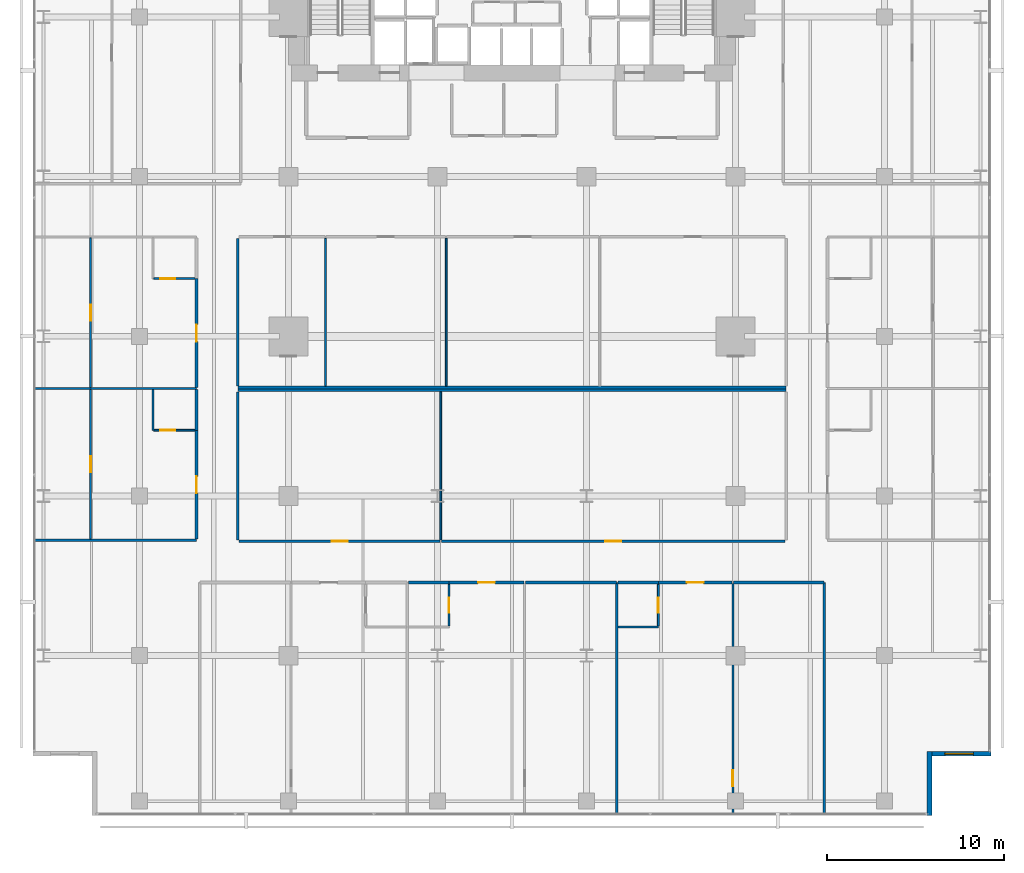
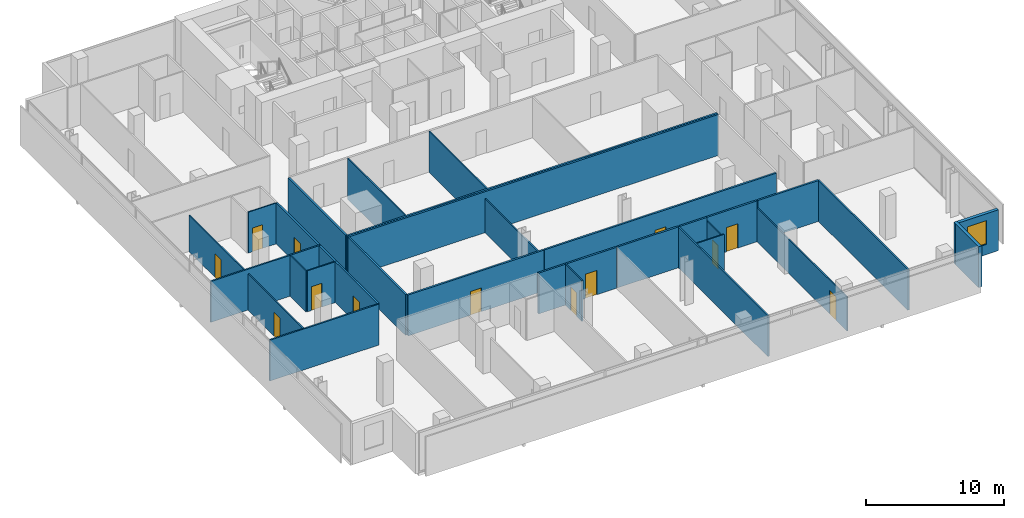
# One storey, part 33 of 40: 33 walls, 13 doors, 1 window, 14 openings.
"""IFC4 building model written with IfcOpenShell, lengths in metres."""

from ifc_helpers import new_model, si_unit, direction, frame, frame_2d, origin, place, context, subcontext, project, spatial, rectangle, extrude, material, layer, layer_set, type_object, element, fill, save


model = new_model("IFC4")

# Units and contexts
model_context = context("Model", 3, precision=1e-05, world=origin(), true_north=direction((0.0, 1.0)))
body_context = subcontext(model_context, "Body", "Model", "MODEL_VIEW")
ifc_project = project(units=[si_unit("LENGTHUNIT", "METRE"), si_unit("AREAUNIT", "SQUARE_METRE"), si_unit("VOLUMEUNIT", "CUBIC_METRE"), si_unit("PLANEANGLEUNIT", "RADIAN"), si_unit("MASSUNIT", "GRAM", prefix="KILO")], contexts=[model_context])

# Site, building, storey
site_placement = place(None, origin())
site = spatial("IfcSite", under=ifc_project, at=site_placement, CompositionType="ELEMENT")
building_placement = place(site_placement, origin())
building = spatial("IfcBuilding", under=site, at=building_placement, Name="Maruvema Waterfront Hotel and Observation Tower", CompositionType="ELEMENT")
storey_placement = place(building_placement, frame((0.0, 0.0, 73.14990234375)))
storey = spatial("IfcBuildingStorey", under=building, at=storey_placement, Name="L17", CompositionType="ELEMENT", Elevation=73.14990234375)

# Walls
ifc_material_1 = material(Name="Twin-stud acoustic gypsum drywall", Category="gypsum")
ifc_layer_1 = layer(ifc_material_1, 0.14990234375, Name="Acoustic Corridor and Suite Demising Wall 150 mm")
ifc_layer_set_1 = layer_set([ifc_layer_1], Name="Twin-stud acoustic gypsum drywall")
wall_type_1 = type_object("IfcWallType", Name="Acoustic Corridor and Suite Demising Wall 150 mm", PredefinedType="PARTITIONING", material=ifc_layer_set_1)
wall_1_placement = place(storey_placement, frame((22.35009765625, 24.110107421875, 0.0), z_axis=(0.0, 0.0, 1.0), x_axis=(1.0, 0.0, 0.0)))
element("IfcWall", 1, at=wall_1_placement, inside=storey, type_object=wall_type_1, Name="L17 L17-INTN Back Wall 022", PredefinedType="PARTITIONING", context=body_context, shape_type="SweptSolid", body=[
    extrude(rectangle(XDim=30.89990234375, YDim=0.14990234375, at=frame_2d((15.449951171875, 0.0))), origin(), (0.0, 0.0, 1.0), 3.610107421875),
])
wall_2_placement = place(storey_placement, frame((22.35009765625, 24.18994140625, 0.0), z_axis=(0.0, 0.0, 1.0), x_axis=(0.0, 1.0, 0.0)))
element("IfcWall", 2, at=wall_2_placement, inside=storey, type_object=wall_type_1, Name="L17 L17-INTN West Wall 023", PredefinedType="PARTITIONING", context=body_context, shape_type="SweptSolid", body=[
    extrude(rectangle(XDim=8.330078125, YDim=0.14990234375, at=frame_2d((4.1650390625, 0.0))), origin(), (0.0, 0.0, 1.0), 3.610107421875),
])
wall_3_placement = place(storey_placement, frame((22.35009765625, 23.949951171875, 0.0), z_axis=(0.0, 0.0, 1.0), x_axis=(1.0, 0.0, 0.0)))
element("IfcWall", 3, at=wall_3_placement, inside=storey, type_object=wall_type_1, Name="L17 L17-INTS Back Wall 032", PredefinedType="PARTITIONING", context=body_context, shape_type="SweptSolid", body=[
    extrude(rectangle(XDim=30.89990234375, YDim=0.14990234375, at=frame_2d((15.449951171875, 0.0))), origin(), (0.0, 0.0, 1.0), 3.610107421875),
])
wall_4_placement = place(storey_placement, frame((22.35009765625, 15.530029296875, 0.0), z_axis=(0.0, 0.0, 1.0), x_axis=(0.0, 1.0, 0.0)))
element("IfcWall", 4, at=wall_4_placement, inside=storey, type_object=wall_type_1, Name="L17 L17-INTS West Wall 033", PredefinedType="PARTITIONING", context=body_context, shape_type="SweptSolid", body=[
    extrude(rectangle(XDim=8.340087890625, YDim=0.14990234375, at=frame_2d((4.169921875, 0.0))), origin(), (0.0, 0.0, 1.0), 3.610107421875),
])

# Wall, opening, door
wall_5_placement = place(storey_placement, frame((22.409912109375, 15.449951171875, 0.0), z_axis=(0.0, 0.0, 1.0), x_axis=(1.0, 0.0, 0.0)))
wall_5 = element("IfcWall", 5, at=wall_5_placement, inside=storey, type_object=wall_type_1, Name="L17 L17-INTS Front 1 035", PredefinedType="PARTITIONING", context=body_context, shape_type="SweptSolid", body=[
    extrude(rectangle(XDim=11.343017578125, YDim=0.14990234375, at=frame_2d((5.67138671875, 0.0))), origin(), (0.0, 0.0, 1.0), 3.610107421875),
])
opening_1_placement = place(wall_5_placement, frame((5.221435546875, 0.0, 0.0)))
opening_1 = element("IfcOpeningElement", 6, at=opening_1_placement, cuts=wall_5, Name="Opening DR-090", PredefinedType="OPENING", context=body_context, shape_type="SweptSolid", body=[
    extrude(rectangle(XDim=0.89990234375, YDim=2.10009765625, at=frame_2d((0.449951171875, 1.050048828125))), frame((0.0, 0.0849609375, 0.0), z_axis=(0.0, -1.0, 0.0), x_axis=(1.0, 0.0, 0.0)), (0.0, 0.0, 1.0), 0.169921875),
])
ifc_material_2 = material(Name="Solid-core lacquered timber leaf", Category="wood")
door_type_1 = type_object("IfcDoorType", Name="Accessible Toilet and Room Door 900x2100 mm", OperationType="NOTDEFINED", PredefinedType="DOOR", material=ifc_material_2)
door_1_placement = place(opening_1_placement, frame((0.89990234375, 0.0, 0.0), z_axis=(0.0, 0.0, 1.0), x_axis=(-1.0, 0.0, 0.0)))
door_1 = element("IfcDoor", 7, at=door_1_placement, inside=storey, type_object=door_type_1, Name="L17 Diplomatic Salon Door", OperationType="SINGLE_SWING_RIGHT", OverallHeight=2.10009765625, OverallWidth=0.89990234375, PredefinedType="DOOR", context=body_context, shape_type="SweptSolid", body=[
    extrude(rectangle(XDim=0.89990234375, YDim=2.10009765625, at=frame_2d((0.449951171875, 1.050048828125))), frame((0.0, 0.02490234375, 0.0), z_axis=(0.0, -1.0, 0.0), x_axis=(1.0, 0.0, 0.0)), (0.0, 0.0, 1.0), 0.050048828125),
])
fill(opening_1, door_1)

wall_6_placement = place(storey_placement, frame((33.81298828125, 15.449951171875, 0.0), z_axis=(0.0, 0.0, 1.0), x_axis=(1.0, 0.0, 0.0)))
wall_6 = element("IfcWall", 8, at=wall_6_placement, inside=storey, type_object=wall_type_1, Name="L17 L17-INTS Front 2 037", PredefinedType="PARTITIONING", context=body_context, shape_type="SweptSolid", body=[
    extrude(rectangle(XDim=19.376953125, YDim=0.14990234375, at=frame_2d((9.6884765625, 0.0))), origin(), (0.0, 0.0, 1.0), 3.610107421875),
])
opening_2_placement = place(wall_6_placement, frame((9.238525390625, 0.0, 0.0)))
opening_2 = element("IfcOpeningElement", 9, at=opening_2_placement, cuts=wall_6, Name="Opening DR-090", PredefinedType="OPENING", context=body_context, shape_type="SweptSolid", body=[
    extrude(rectangle(XDim=0.89990234375, YDim=2.10009765625, at=frame_2d((0.449951171875, 1.050048828125))), frame((0.0, 0.0849609375, 0.0), z_axis=(0.0, -1.0, 0.0), x_axis=(1.0, 0.0, 0.0)), (0.0, 0.0, 1.0), 0.169921875),
])
door_2_placement = place(opening_2_placement, frame((0.89990234375, 0.0, 0.0), z_axis=(0.0, 0.0, 1.0), x_axis=(-1.0, 0.0, 0.0)))
door_2 = element("IfcDoor", 10, at=door_2_placement, inside=storey, type_object=door_type_1, Name="L17 Diplomatic Conference Room Door", OperationType="SINGLE_SWING_LEFT", OverallHeight=2.10009765625, OverallWidth=0.89990234375, PredefinedType="DOOR", context=body_context, shape_type="SweptSolid", body=[
    extrude(rectangle(XDim=0.89990234375, YDim=2.10009765625, at=frame_2d((0.449951171875, 1.050048828125))), frame((0.0, 0.02490234375, 0.0), z_axis=(0.0, -1.0, 0.0), x_axis=(1.0, 0.0, 0.0)), (0.0, 0.0, 1.0), 0.050048828125),
])
fill(opening_2, door_2)

# Wall
wall_7_placement = place(storey_placement, frame((31.97998046875, 13.1201171875, 0.0), z_axis=(0.0, 0.0, 1.0), x_axis=(1.0, 0.0, 0.0)))
element("IfcWall", 11, at=wall_7_placement, inside=storey, type_object=wall_type_1, Name="L17 Bath L17-S2 Back Wall 047", PredefinedType="PARTITIONING", context=body_context, shape_type="SweptSolid", body=[
    extrude(rectangle(XDim=2.27001953125, YDim=0.14990234375, at=frame_2d((1.135009765625, 0.0))), origin(), (0.0, 0.0, 1.0), 3.610107421875),
])

# Wall, opening, door
wall_8_placement = place(storey_placement, frame((34.25, 13.1201171875, 0.0), z_axis=(0.0, 0.0, 1.0), x_axis=(1.0, 0.0, 0.0)))
wall_8 = element("IfcWall", 12, at=wall_8_placement, inside=storey, type_object=wall_type_1, Name="L17 Unit L17-S2 Corridor Wall 050", PredefinedType="PARTITIONING", context=body_context, shape_type="SweptSolid", body=[
    extrude(rectangle(XDim=4.218017578125, YDim=0.14990234375, at=frame_2d((2.10888671875, 0.0))), origin(), (0.0, 0.0, 1.0), 3.610107421875),
])
opening_3_placement = place(wall_8_placement, frame((1.634033203125, 0.0, 0.0)))
opening_3 = element("IfcOpeningElement", 13, at=opening_3_placement, cuts=wall_8, Name="Opening DR-095", PredefinedType="OPENING", context=body_context, shape_type="SweptSolid", body=[
    extrude(rectangle(XDim=0.949951171875, YDim=2.14990234375, at=frame_2d((0.47509765625, 1.074951171875))), frame((0.0, 0.0849609375, 0.0), z_axis=(0.0, -1.0, 0.0), x_axis=(1.0, 0.0, 0.0)), (0.0, 0.0, 1.0), 0.169921875),
])
ifc_material_3 = material(Name="Acoustic solid-core hardwood timber leaf", Category="wood")
door_type_2 = type_object("IfcDoorType", Name="Guestroom Entrance Fire Door 950x2150 mm", OperationType="NOTDEFINED", PredefinedType="DOOR", material=ifc_material_3)
door_3_placement = place(opening_3_placement, frame((0.949951171875, 0.0, 0.0), z_axis=(0.0, 0.0, 1.0), x_axis=(-1.0, 0.0, 0.0)))
door_3 = element("IfcDoor", 14, at=door_3_placement, inside=storey, type_object=door_type_2, Name="L17 Unit L17-S2 Entrance Door", OperationType="SINGLE_SWING_RIGHT", OverallHeight=2.14990234375, OverallWidth=0.949951171875, PredefinedType="DOOR", context=body_context, shape_type="SweptSolid", body=[
    extrude(rectangle(XDim=0.949951171875, YDim=2.14990234375, at=frame_2d((0.47509765625, 1.074951171875))), frame((0.0, 0.02490234375, 0.0), z_axis=(0.0, -1.0, 0.0), x_axis=(1.0, 0.0, 0.0)), (0.0, 0.0, 1.0), 0.050048828125),
])
fill(opening_3, door_3)

# Walls
wall_9_placement = place(storey_placement, frame((38.548095703125, 13.1201171875, 0.0), z_axis=(0.0, 0.0, 1.0), x_axis=(1.0, 0.0, 0.0)))
element("IfcWall", 15, at=wall_9_placement, inside=storey, type_object=wall_type_1, Name="L17 Bedroom L17-S2 Back Wall 051", PredefinedType="PARTITIONING", context=body_context, shape_type="SweptSolid", body=[
    extrude(rectangle(XDim=5.1318359375, YDim=0.14990234375, at=frame_2d((2.56591796875, 0.0))), origin(), (0.0, 0.0, 1.0), 3.610107421875),
])
wall_10_placement = place(storey_placement, frame((43.780029296875, 13.1201171875, 0.0), z_axis=(0.0, 0.0, 1.0), x_axis=(1.0, 0.0, 0.0)))
element("IfcWall", 16, at=wall_10_placement, inside=storey, type_object=wall_type_1, Name="L17 Bath L17-S3 Back Wall 054", PredefinedType="PARTITIONING", context=body_context, shape_type="SweptSolid", body=[
    extrude(rectangle(XDim=2.27001953125, YDim=0.14990234375, at=frame_2d((1.135009765625, 0.0))), origin(), (0.0, 0.0, 1.0), 3.610107421875),
])

# Wall, opening, door
wall_11_placement = place(storey_placement, frame((46.050048828125, 13.1201171875, 0.0), z_axis=(0.0, 0.0, 1.0), x_axis=(1.0, 0.0, 0.0)))
wall_11 = element("IfcWall", 17, at=wall_11_placement, inside=storey, type_object=wall_type_1, Name="L17 Unit L17-S3 Corridor Wall 057", PredefinedType="PARTITIONING", context=body_context, shape_type="SweptSolid", body=[
    extrude(rectangle(XDim=4.161865234375, YDim=0.14990234375, at=frame_2d((2.0810546875, 0.0))), origin(), (0.0, 0.0, 1.0), 3.610107421875),
])
opening_4_placement = place(wall_11_placement, frame((1.60595703125, 0.0, 0.0)))
opening_4 = element("IfcOpeningElement", 18, at=opening_4_placement, cuts=wall_11, Name="Opening DR-095", PredefinedType="OPENING", context=body_context, shape_type="SweptSolid", body=[
    extrude(rectangle(XDim=0.949951171875, YDim=2.14990234375, at=frame_2d((0.47509765625, 1.074951171875))), frame((0.0, 0.0849609375, 0.0), z_axis=(0.0, -1.0, 0.0), x_axis=(1.0, 0.0, 0.0)), (0.0, 0.0, 1.0), 0.169921875),
])
door_4_placement = place(opening_4_placement, frame((0.949951171875, 0.0, 0.0), z_axis=(0.0, 0.0, 1.0), x_axis=(-1.0, 0.0, 0.0)))
door_4 = element("IfcDoor", 19, at=door_4_placement, inside=storey, type_object=door_type_2, Name="L17 Unit L17-S3 Entrance Door", OperationType="SINGLE_SWING_LEFT", OverallHeight=2.14990234375, OverallWidth=0.949951171875, PredefinedType="DOOR", context=body_context, shape_type="SweptSolid", body=[
    extrude(rectangle(XDim=0.949951171875, YDim=2.14990234375, at=frame_2d((0.47509765625, 1.074951171875))), frame((0.0, 0.02490234375, 0.0), z_axis=(0.0, -1.0, 0.0), x_axis=(1.0, 0.0, 0.0)), (0.0, 0.0, 1.0), 0.050048828125),
])
fill(opening_4, door_4)

# Wall
wall_12_placement = place(storey_placement, frame((50.2919921875, 13.1201171875, 0.0), z_axis=(0.0, 0.0, 1.0), x_axis=(1.0, 0.0, 0.0)))
element("IfcWall", 20, at=wall_12_placement, inside=storey, type_object=wall_type_1, Name="L17 Bedroom L17-S3 Back Wall 058", PredefinedType="PARTITIONING", context=body_context, shape_type="SweptSolid", body=[
    extrude(rectangle(XDim=5.087890625, YDim=0.14990234375, at=frame_2d((2.5439453125, 0.0))), origin(), (0.0, 0.0, 1.0), 3.610107421875),
])

# Wall, opening, door
wall_13_placement = place(storey_placement, frame((20.02001953125, 15.56005859375, 0.0), z_axis=(0.0, 0.0, 1.0), x_axis=(0.0, 1.0, 0.0)))
wall_13 = element("IfcWall", 21, at=wall_13_placement, inside=storey, type_object=wall_type_1, Name="L17 Room L17-W1 Corridor Wall 064", PredefinedType="PARTITIONING", context=body_context, shape_type="SweptSolid", body=[
    extrude(rectangle(XDim=6.139892578125, YDim=0.14990234375, at=frame_2d((3.06982421875, 0.0))), origin(), (0.0, 0.0, 1.0), 3.610107421875),
])
opening_5_placement = place(wall_13_placement, frame((2.594970703125, 0.0, 0.0)))
opening_5 = element("IfcOpeningElement", 22, at=opening_5_placement, cuts=wall_13, Name="Opening DR-095", PredefinedType="OPENING", context=body_context, shape_type="SweptSolid", body=[
    extrude(rectangle(XDim=0.949951171875, YDim=2.14990234375, at=frame_2d((0.47509765625, 1.074951171875))), frame((0.0, 0.0849609375, 0.0), z_axis=(0.0, -1.0, 0.0), x_axis=(1.0, 0.0, 0.0)), (0.0, 0.0, 1.0), 0.169921875),
])
door_5_placement = place(opening_5_placement, origin())
door_5 = element("IfcDoor", 23, at=door_5_placement, inside=storey, type_object=door_type_2, Name="L17 Room L17-W1 Entrance Door", OperationType="SINGLE_SWING_RIGHT", OverallHeight=2.14990234375, OverallWidth=0.949951171875, PredefinedType="DOOR", context=body_context, shape_type="SweptSolid", body=[
    extrude(rectangle(XDim=0.949951171875, YDim=2.14990234375, at=frame_2d((0.47509765625, 1.074951171875))), frame((0.0, 0.02490234375, 0.0), z_axis=(0.0, -1.0, 0.0), x_axis=(1.0, 0.0, 0.0)), (0.0, 0.0, 1.0), 0.050048828125),
])
fill(opening_5, door_5)

# Wall
wall_14_placement = place(storey_placement, frame((20.02001953125, 21.699951171875, 0.0), z_axis=(0.0, 0.0, 1.0), x_axis=(0.0, 1.0, 0.0)))
element("IfcWall", 24, at=wall_14_placement, inside=storey, type_object=wall_type_1, Name="L17 Bath L17-W1 Wall 065", PredefinedType="PARTITIONING", context=body_context, shape_type="SweptSolid", body=[
    extrude(rectangle(XDim=2.2900390625, YDim=0.14990234375, at=frame_2d((1.14501953125, 0.0))), origin(), (0.0, 0.0, 1.0), 3.610107421875),
])

# Wall, opening, door
wall_15_placement = place(storey_placement, frame((20.02001953125, 24.110107421875, 0.0), z_axis=(0.0, 0.0, 1.0), x_axis=(0.0, 1.0, 0.0)))
wall_15 = element("IfcWall", 25, at=wall_15_placement, inside=storey, type_object=wall_type_1, Name="L17 Room L17-W2 Corridor Wall 076", PredefinedType="PARTITIONING", context=body_context, shape_type="SweptSolid", body=[
    extrude(rectangle(XDim=6.139892578125, YDim=0.14990234375, at=frame_2d((3.06982421875, 0.0))), origin(), (0.0, 0.0, 1.0), 3.610107421875),
])
opening_6_placement = place(wall_15_placement, frame((2.594970703125, 0.0, 0.0)))
opening_6 = element("IfcOpeningElement", 26, at=opening_6_placement, cuts=wall_15, Name="Opening DR-095", PredefinedType="OPENING", context=body_context, shape_type="SweptSolid", body=[
    extrude(rectangle(XDim=0.949951171875, YDim=2.14990234375, at=frame_2d((0.47509765625, 1.074951171875))), frame((0.0, 0.0849609375, 0.0), z_axis=(0.0, -1.0, 0.0), x_axis=(1.0, 0.0, 0.0)), (0.0, 0.0, 1.0), 0.169921875),
])
door_6_placement = place(opening_6_placement, origin())
door_6 = element("IfcDoor", 27, at=door_6_placement, inside=storey, type_object=door_type_2, Name="L17 Room L17-W2 Entrance Door", OperationType="SINGLE_SWING_RIGHT", OverallHeight=2.14990234375, OverallWidth=0.949951171875, PredefinedType="DOOR", context=body_context, shape_type="SweptSolid", body=[
    extrude(rectangle(XDim=0.949951171875, YDim=2.14990234375, at=frame_2d((0.47509765625, 1.074951171875))), frame((0.0, 0.02490234375, 0.0), z_axis=(0.0, -1.0, 0.0), x_axis=(1.0, 0.0, 0.0)), (0.0, 0.0, 1.0), 0.050048828125),
])
fill(opening_6, door_6)

# Walls
ifc_material_4 = material(Name="Moisture-resistant cement-board drywall", Category="gypsum")
ifc_layer_2 = layer(ifc_material_4, 0.10009765625, Name="En-Suite Moisture-Resistant Partition 100 mm")
ifc_layer_set_2 = layer_set([ifc_layer_2], Name="Moisture-resistant cement-board drywall")
wall_type_2 = type_object("IfcWallType", Name="En-Suite Moisture-Resistant Partition 100 mm", PredefinedType="PARTITIONING", material=ifc_layer_set_2)
for number, where, z_axis, x_axis, name in (
    (28, (27.2939453125, 24.18994140625, 0.0), (0.0, 0.0, 1.0), (0.0, 1.0, 0.0), "L17 L17-INTN Split 1 026"),
    (29, (34.092041015625, 24.18994140625, 0.0), (0.0, 0.0, 1.0), (0.0, 1.0, 0.0), "L17 L17-INTN Split 2 028"),
):
    element("IfcWall", number, at=place(storey_placement, frame(where, z_axis=z_axis, x_axis=x_axis)), inside=storey, type_object=wall_type_2, Name=name, PredefinedType="PARTITIONING", context=body_context, shape_type="SweptSolid", body=[
        extrude(rectangle(XDim=8.330078125, YDim=0.10009765625, at=frame_2d((4.1650390625, 0.0))), origin(), (0.0, 0.0, 1.0), 3.610107421875),
    ])
wall_16_placement = place(storey_placement, frame((33.782958984375, 15.530029296875, 0.0), z_axis=(0.0, 0.0, 1.0), x_axis=(0.0, 1.0, 0.0)))
element("IfcWall", 30, at=wall_16_placement, inside=storey, type_object=wall_type_2, Name="L17 L17-INTS Split 1 036", PredefinedType="PARTITIONING", context=body_context, shape_type="SweptSolid", body=[
    extrude(rectangle(XDim=8.340087890625, YDim=0.10009765625, at=frame_2d((4.169921875, 0.0))), origin(), (0.0, 0.0, 1.0), 2.9990234375),
])

# Wall, opening, door
wall_17_placement = place(storey_placement, frame((34.25, 10.679931640625, 0.0), z_axis=(0.0, 0.0, 1.0), x_axis=(0.0, 1.0, 0.0)))
wall_17 = element("IfcWall", 31, at=wall_17_placement, inside=storey, type_object=wall_type_2, Name="L17 En-Suite L17-S2 East 049", PredefinedType="PARTITIONING", context=body_context, shape_type="SweptSolid", body=[
    extrude(rectangle(XDim=2.340087890625, YDim=0.10009765625, at=frame_2d((1.169921875, 0.0))), origin(), (0.0, 0.0, 1.0), 3.610107421875),
])
opening_7_placement = place(wall_17_placement, frame((0.7451171875, 0.0, 0.0)))
opening_7 = element("IfcOpeningElement", 32, at=opening_7_placement, cuts=wall_17, Name="Opening DR-085", PredefinedType="OPENING", context=body_context, shape_type="SweptSolid", body=[
    extrude(rectangle(XDim=0.85009765625, YDim=2.10009765625, at=frame_2d((0.425048828125, 1.050048828125))), frame((0.0, 0.06005859375, 0.0), z_axis=(0.0, -1.0, 0.0), x_axis=(1.0, 0.0, 0.0)), (0.0, 0.0, 1.0), 0.1201171875),
])
ifc_material_5 = material(Name="Moisture-resistant solid timber leaf", Category="wood")
door_type_3 = type_object("IfcDoorType", Name="En-Suite Bathroom Door 850x2100 mm", OperationType="NOTDEFINED", PredefinedType="DOOR", material=ifc_material_5)
door_7_placement = place(opening_7_placement, frame((0.85009765625, 0.0, 0.0), z_axis=(0.0, 0.0, 1.0), x_axis=(-1.0, 0.0, 0.0)))
door_7 = element("IfcDoor", 33, at=door_7_placement, inside=storey, type_object=door_type_3, Name="L17 En-Suite L17-S2 Door", OperationType="SINGLE_SWING_LEFT", OverallHeight=2.10009765625, OverallWidth=0.85009765625, PredefinedType="DOOR", context=body_context, shape_type="SweptSolid", body=[
    extrude(rectangle(XDim=0.85009765625, YDim=2.10009765625, at=frame_2d((0.425048828125, 1.050048828125))), frame((0.0, 0.02490234375, 0.0), z_axis=(0.0, -1.0, 0.0), x_axis=(1.0, 0.0, 0.0)), (0.0, 0.0, 1.0), 0.050048828125),
])
fill(opening_7, door_7)

# Wall
wall_18_placement = place(storey_placement, frame((43.780029296875, 10.6201171875, 0.0), z_axis=(0.0, 0.0, 1.0), x_axis=(1.0, 0.0, 0.0)))
element("IfcWall", 34, at=wall_18_placement, inside=storey, type_object=wall_type_2, Name="L17 En-Suite L17-S3 South 055", PredefinedType="PARTITIONING", context=body_context, shape_type="SweptSolid", body=[
    extrude(rectangle(XDim=2.27001953125, YDim=0.10009765625, at=frame_2d((1.135009765625, 0.0))), origin(), (0.0, 0.0, 1.0), 3.610107421875),
])

# Wall, opening, door
wall_19_placement = place(storey_placement, frame((46.050048828125, 10.679931640625, 0.0), z_axis=(0.0, 0.0, 1.0), x_axis=(0.0, 1.0, 0.0)))
wall_19 = element("IfcWall", 35, at=wall_19_placement, inside=storey, type_object=wall_type_2, Name="L17 En-Suite L17-S3 East 056", PredefinedType="PARTITIONING", context=body_context, shape_type="SweptSolid", body=[
    extrude(rectangle(XDim=2.340087890625, YDim=0.10009765625, at=frame_2d((1.169921875, 0.0))), origin(), (0.0, 0.0, 1.0), 3.30419921875),
])
opening_8_placement = place(wall_19_placement, frame((0.7451171875, 0.0, 0.0)))
opening_8 = element("IfcOpeningElement", 36, at=opening_8_placement, cuts=wall_19, Name="Opening DR-085", PredefinedType="OPENING", context=body_context, shape_type="SweptSolid", body=[
    extrude(rectangle(XDim=0.85009765625, YDim=2.10009765625, at=frame_2d((0.425048828125, 1.050048828125))), frame((0.0, 0.06005859375, 0.0), z_axis=(0.0, -1.0, 0.0), x_axis=(1.0, 0.0, 0.0)), (0.0, 0.0, 1.0), 0.1201171875),
])
door_8_placement = place(opening_8_placement, frame((0.85009765625, 0.0, 0.0), z_axis=(0.0, 0.0, 1.0), x_axis=(-1.0, 0.0, 0.0)))
door_8 = element("IfcDoor", 37, at=door_8_placement, inside=storey, type_object=door_type_3, Name="L17 En-Suite L17-S3 Door", OperationType="SINGLE_SWING_RIGHT", OverallHeight=2.10009765625, OverallWidth=0.85009765625, PredefinedType="DOOR", context=body_context, shape_type="SweptSolid", body=[
    extrude(rectangle(XDim=0.85009765625, YDim=2.10009765625, at=frame_2d((0.425048828125, 1.050048828125))), frame((0.0, 0.02490234375, 0.0), z_axis=(0.0, -1.0, 0.0), x_axis=(1.0, 0.0, 0.0)), (0.0, 0.0, 1.0), 0.050048828125),
])
fill(opening_8, door_8)

wall_20_placement = place(storey_placement, frame((50.251953125, 0.030029296875, 0.0), z_axis=(0.0, 0.0, 1.0), x_axis=(0.0, 1.0, 0.0)))
wall_20 = element("IfcWall", 38, at=wall_20_placement, inside=storey, type_object=wall_type_2, Name="L17 Suite L17-S3 Split 059", PredefinedType="PARTITIONING", context=body_context, shape_type="SweptSolid", body=[
    extrude(rectangle(XDim=13.030029296875, YDim=0.10009765625, at=frame_2d((6.51513671875, 0.0))), origin(), (0.0, 0.0, 1.0), 2.9990234375),
])
opening_9_placement = place(wall_20_placement, frame((1.60009765625, 0.0, 0.0)))
opening_9 = element("IfcOpeningElement", 39, at=opening_9_placement, cuts=wall_20, Name="Opening DR-090", PredefinedType="OPENING", context=body_context, shape_type="SweptSolid", body=[
    extrude(rectangle(XDim=0.89990234375, YDim=2.10009765625, at=frame_2d((0.449951171875, 1.050048828125))), frame((0.0, 0.06005859375, 0.0), z_axis=(0.0, -1.0, 0.0), x_axis=(1.0, 0.0, 0.0)), (0.0, 0.0, 1.0), 0.1201171875),
])
door_9_placement = place(opening_9_placement, origin())
door_9 = element("IfcDoor", 40, at=door_9_placement, inside=storey, type_object=door_type_1, Name="L17 Suite L17-S3 Bedroom Door", OperationType="SINGLE_SWING_RIGHT", OverallHeight=2.10009765625, OverallWidth=0.89990234375, PredefinedType="DOOR", context=body_context, shape_type="SweptSolid", body=[
    extrude(rectangle(XDim=0.89990234375, YDim=2.10009765625, at=frame_2d((0.449951171875, 1.050048828125))), frame((0.0, 0.02490234375, 0.0), z_axis=(0.0, -1.0, 0.0), x_axis=(1.0, 0.0, 0.0)), (0.0, 0.0, 1.0), 0.050048828125),
])
fill(opening_9, door_9)

# Wall
wall_21_placement = place(storey_placement, frame((17.570068359375, 21.699951171875, 0.0), z_axis=(0.0, 0.0, 1.0), x_axis=(0.0, 1.0, 0.0)))
element("IfcWall", 41, at=wall_21_placement, inside=storey, type_object=wall_type_2, Name="L17 En-Suite L17-W1 W 066", PredefinedType="PARTITIONING", context=body_context, shape_type="SweptSolid", body=[
    extrude(rectangle(XDim=2.2900390625, YDim=0.10009765625, at=frame_2d((1.14501953125, 0.0))), origin(), (0.0, 0.0, 1.0), 3.610107421875),
])

# Wall, opening, door
wall_22_placement = place(storey_placement, frame((17.6201171875, 21.699951171875, 0.0), z_axis=(0.0, 0.0, 1.0), x_axis=(1.0, 0.0, 0.0)))
wall_22 = element("IfcWall", 42, at=wall_22_placement, inside=storey, type_object=wall_type_2, Name="L17 En-Suite L17-W1 S 067", PredefinedType="PARTITIONING", context=body_context, shape_type="SweptSolid", body=[
    extrude(rectangle(XDim=2.2998046875, YDim=0.10009765625, at=frame_2d((1.14990234375, 0.0))), origin(), (0.0, 0.0, 1.0), 3.610107421875),
])
opening_10_placement = place(wall_22_placement, frame((0.35009765625, 0.0, 0.0)))
opening_10 = element("IfcOpeningElement", 43, at=opening_10_placement, cuts=wall_22, Name="Opening DR-085", PredefinedType="OPENING", context=body_context, shape_type="SweptSolid", body=[
    extrude(rectangle(XDim=0.85009765625, YDim=2.10009765625, at=frame_2d((0.425048828125, 1.050048828125))), frame((0.0, 0.06005859375, 0.0), z_axis=(0.0, -1.0, 0.0), x_axis=(1.0, 0.0, 0.0)), (0.0, 0.0, 1.0), 0.1201171875),
])
door_10_placement = place(opening_10_placement, frame((0.85009765625, 0.0, 0.0), z_axis=(0.0, 0.0, 1.0), x_axis=(-1.0, 0.0, 0.0)))
door_10 = element("IfcDoor", 44, at=door_10_placement, inside=storey, type_object=door_type_3, Name="L17 En-Suite L17-W1 Door", OperationType="SINGLE_SWING_LEFT", OverallHeight=2.10009765625, OverallWidth=0.85009765625, PredefinedType="DOOR", context=body_context, shape_type="SweptSolid", body=[
    extrude(rectangle(XDim=0.85009765625, YDim=2.10009765625, at=frame_2d((0.425048828125, 1.050048828125))), frame((0.0, 0.02490234375, 0.0), z_axis=(0.0, -1.0, 0.0), x_axis=(1.0, 0.0, 0.0)), (0.0, 0.0, 1.0), 0.050048828125),
])
fill(opening_10, door_10)

wall_23_placement = place(storey_placement, frame((14.049560546875, 15.56005859375, 0.0), z_axis=(0.0, 0.0, 1.0), x_axis=(0.0, 1.0, 0.0)))
wall_23 = element("IfcWall", 45, at=wall_23_placement, inside=storey, type_object=wall_type_2, Name="L17 Suite L17-W1 Split 068", PredefinedType="PARTITIONING", context=body_context, shape_type="SweptSolid", body=[
    extrude(rectangle(XDim=8.429931640625, YDim=0.10009765625, at=frame_2d((4.21484375, 0.0))), origin(), (0.0, 0.0, 1.0), 3.20703125),
])
opening_11_placement = place(wall_23_placement, frame((3.764892578125, 0.0, 0.0)))
opening_11 = element("IfcOpeningElement", 46, at=opening_11_placement, cuts=wall_23, Name="Opening DR-090", PredefinedType="OPENING", context=body_context, shape_type="SweptSolid", body=[
    extrude(rectangle(XDim=0.89990234375, YDim=2.10009765625, at=frame_2d((0.449951171875, 1.050048828125))), frame((0.0, 0.06005859375, 0.0), z_axis=(0.0, -1.0, 0.0), x_axis=(1.0, 0.0, 0.0)), (0.0, 0.0, 1.0), 0.1201171875),
])
door_11_placement = place(opening_11_placement, origin())
door_11 = element("IfcDoor", 47, at=door_11_placement, inside=storey, type_object=door_type_1, Name="L17 Suite L17-W1 Bedroom Door", OperationType="SINGLE_SWING_LEFT", OverallHeight=2.10009765625, OverallWidth=0.89990234375, PredefinedType="DOOR", context=body_context, shape_type="SweptSolid", body=[
    extrude(rectangle(XDim=0.89990234375, YDim=2.10009765625, at=frame_2d((0.449951171875, 1.050048828125))), frame((0.0, 0.02490234375, 0.0), z_axis=(0.0, -1.0, 0.0), x_axis=(1.0, 0.0, 0.0)), (0.0, 0.0, 1.0), 0.050048828125),
])
fill(opening_11, door_11)

wall_24_placement = place(storey_placement, frame((17.6201171875, 30.25, 0.0), z_axis=(0.0, 0.0, 1.0), x_axis=(1.0, 0.0, 0.0)))
wall_24 = element("IfcWall", 48, at=wall_24_placement, inside=storey, type_object=wall_type_2, Name="L17 En-Suite L17-W2 S 079", PredefinedType="PARTITIONING", context=body_context, shape_type="SweptSolid", body=[
    extrude(rectangle(XDim=2.2998046875, YDim=0.10009765625, at=frame_2d((1.14990234375, 0.0))), origin(), (0.0, 0.0, 1.0), 3.610107421875),
])
opening_12_placement = place(wall_24_placement, frame((0.35009765625, 0.0, 0.0)))
opening_12 = element("IfcOpeningElement", 49, at=opening_12_placement, cuts=wall_24, Name="Opening DR-085", PredefinedType="OPENING", context=body_context, shape_type="SweptSolid", body=[
    extrude(rectangle(XDim=0.85009765625, YDim=2.10009765625, at=frame_2d((0.425048828125, 1.050048828125))), frame((0.0, 0.06005859375, 0.0), z_axis=(0.0, -1.0, 0.0), x_axis=(1.0, 0.0, 0.0)), (0.0, 0.0, 1.0), 0.1201171875),
])
door_12_placement = place(opening_12_placement, frame((0.85009765625, 0.0, 0.0), z_axis=(0.0, 0.0, 1.0), x_axis=(-1.0, 0.0, 0.0)))
door_12 = element("IfcDoor", 50, at=door_12_placement, inside=storey, type_object=door_type_3, Name="L17 En-Suite L17-W2 Door", OperationType="SINGLE_SWING_LEFT", OverallHeight=2.10009765625, OverallWidth=0.85009765625, PredefinedType="DOOR", context=body_context, shape_type="SweptSolid", body=[
    extrude(rectangle(XDim=0.85009765625, YDim=2.10009765625, at=frame_2d((0.425048828125, 1.050048828125))), frame((0.0, 0.02490234375, 0.0), z_axis=(0.0, -1.0, 0.0), x_axis=(1.0, 0.0, 0.0)), (0.0, 0.0, 1.0), 0.050048828125),
])
fill(opening_12, door_12)

wall_25_placement = place(storey_placement, frame((14.049560546875, 24.110107421875, 0.0), z_axis=(0.0, 0.0, 1.0), x_axis=(0.0, 1.0, 0.0)))
wall_25 = element("IfcWall", 51, at=wall_25_placement, inside=storey, type_object=wall_type_2, Name="L17 Suite L17-W2 Split 080", PredefinedType="PARTITIONING", context=body_context, shape_type="SweptSolid", body=[
    extrude(rectangle(XDim=8.429931640625, YDim=0.10009765625, at=frame_2d((4.21484375, 0.0))), origin(), (0.0, 0.0, 1.0), 3.20703125),
])
opening_13_placement = place(wall_25_placement, frame((3.764892578125, 0.0, 0.0)))
opening_13 = element("IfcOpeningElement", 52, at=opening_13_placement, cuts=wall_25, Name="Opening DR-090", PredefinedType="OPENING", context=body_context, shape_type="SweptSolid", body=[
    extrude(rectangle(XDim=0.89990234375, YDim=2.10009765625, at=frame_2d((0.449951171875, 1.050048828125))), frame((0.0, 0.06005859375, 0.0), z_axis=(0.0, -1.0, 0.0), x_axis=(1.0, 0.0, 0.0)), (0.0, 0.0, 1.0), 0.1201171875),
])
door_13_placement = place(opening_13_placement, origin())
door_13 = element("IfcDoor", 53, at=door_13_placement, inside=storey, type_object=door_type_1, Name="L17 Suite L17-W2 Bedroom Door", OperationType="SINGLE_SWING_LEFT", OverallHeight=2.10009765625, OverallWidth=0.89990234375, PredefinedType="DOOR", context=body_context, shape_type="SweptSolid", body=[
    extrude(rectangle(XDim=0.89990234375, YDim=2.10009765625, at=frame_2d((0.449951171875, 1.050048828125))), frame((0.0, 0.02490234375, 0.0), z_axis=(0.0, -1.0, 0.0), x_axis=(1.0, 0.0, 0.0)), (0.0, 0.0, 1.0), 0.050048828125),
])
fill(opening_13, door_13)

# Wall
ifc_material_6 = material(Name="Precast concrete C45/55 with honed Pernambuco granite facing", Category="masonry")
ifc_layer_3 = layer(ifc_material_6, 0.260009765625, Name="Exterior Granite Clad Spandrel and Pier Wall 260 mm")
ifc_layer_set_3 = layer_set([ifc_layer_3], Name="Precast concrete C45/55 with honed Pernambuco granite facing")
wall_type_3 = type_object("IfcWallType", Name="Exterior Granite Clad Spandrel and Pier Wall 260 mm", PredefinedType="SOLIDWALL", material=ifc_layer_set_3)
wall_26_placement = place(storey_placement, frame((61.330078125, 3.60009765625, 0.0), z_axis=(0.0, 0.0, 1.0), x_axis=(0.0, -1.0, 0.0)))
element("IfcWall", 54, at=wall_26_placement, inside=storey, type_object=wall_type_3, Name="L17 Corner Notch Granite Pier Wall SE1", PredefinedType="SOLIDWALL", context=body_context, shape_type="SweptSolid", body=[
    extrude(rectangle(XDim=3.60009765625, YDim=0.260009765625, at=frame_2d((1.800048828125, 0.0))), origin(), (0.0, 0.0, 1.0), 3.610107421875),
])

# Wall, opening, window
wall_27_placement = place(storey_placement, frame((64.800048828125, 3.469970703125, 0.0), z_axis=(0.0, 0.0, 1.0), x_axis=(-1.0, 0.0, 0.0)))
wall_27 = element("IfcWall", 55, at=wall_27_placement, inside=storey, type_object=wall_type_3, Name="L17 Corner Notch Granite Pier Wall SE2", PredefinedType="SOLIDWALL", context=body_context, shape_type="SweptSolid", body=[
    extrude(rectangle(XDim=3.60009765625, YDim=0.260009765625, at=frame_2d((1.800048828125, 0.0))), origin(), (0.0, 0.0, 1.0), 3.610107421875),
])
opening_14_placement = place(wall_27_placement, frame((1.0, 0.0, 0.89990234375)))
opening_14 = element("IfcOpeningElement", 56, at=opening_14_placement, cuts=wall_27, Name="Opening WN-01", PredefinedType="OPENING", context=body_context, shape_type="SweptSolid", body=[
    extrude(rectangle(XDim=1.60009765625, YDim=2.10009765625, at=frame_2d((0.800048828125, 1.050048828125))), frame((0.0, 0.14013671875, 0.0), z_axis=(0.0, -1.0, 0.0), x_axis=(1.0, 0.0, 0.0)), (0.0, 0.0, 1.0), 0.280029296875),
])
ifc_material_7 = material(Name="Anodised bronze aluminium frame with laminated low-E glass", Category="aluminium")
window_type = type_object("IfcWindowType", Name="Corner Notch Feature Window 1600x2100 mm", PartitioningType="SINGLE_PANEL", PredefinedType="WINDOW", material=ifc_material_7)
window_placement = place(opening_14_placement, origin())
window = element("IfcWindow", 57, at=window_placement, inside=storey, type_object=window_type, Name="L17 Corner Notch Punched Window SE2", OverallHeight=2.10009765625, OverallWidth=1.60009765625, PartitioningType="SINGLE_PANEL", PredefinedType="WINDOW", context=body_context, shape_type="SweptSolid", body=[
    extrude(rectangle(XDim=1.60009765625, YDim=2.10009765625, at=frame_2d((0.800048828125, 1.050048828125))), frame((0.0, 0.030029296875, 0.0), z_axis=(0.0, -1.0, 0.0), x_axis=(1.0, 0.0, 0.0)), (0.0, 0.0, 1.0), 0.06005859375),
])
fill(opening_14, window)

# Walls
ifc_material_8 = material(Name="Acoustic gypsum plasterboard drywall", Category="gypsum")
ifc_layer_4 = layer(ifc_material_8, 0.125, Name="Guestroom Acoustic Demising Wall 125 mm")
ifc_layer_set_4 = layer_set([ifc_layer_4], Name="Acoustic gypsum plasterboard drywall")
wall_type_4 = type_object("IfcWallType", Name="Guestroom Acoustic Demising Wall 125 mm", PredefinedType="PARTITIONING", material=ifc_layer_set_4)
for number, where, z_axis, x_axis, name in (
    (58, (55.39990234375, 0.10009765625, 0.0), (0.0, 0.0, 1.0), (0.0, 1.0, 0.0), "L17 S East End 039"),
    (59, (43.699951171875, 0.10009765625, 0.0), (0.0, 0.0, 1.0), (0.0, 1.0, 0.0), "L17 S Demising 3 053"),
):
    element("IfcWall", number, at=place(storey_placement, frame(where, z_axis=z_axis, x_axis=x_axis)), inside=storey, type_object=wall_type_4, Name=name, PredefinedType="PARTITIONING", context=body_context, shape_type="SweptSolid", body=[
        extrude(rectangle(XDim=13.02001953125, YDim=0.125, at=frame_2d((6.510009765625, 0.0))), origin(), (0.0, 0.0, 1.0), 3.610107421875),
    ])
for number, where, z_axis, x_axis, name in (
    (60, (10.89990234375, 15.5, 0.0), (0.0, 0.0, 1.0), (1.0, 0.0, 0.0), "L17 W Bot End 060"),
    (61, (10.89990234375, 24.050048828125, 0.0), (0.0, 0.0, 1.0), (1.0, 0.0, 0.0), "L17 W Demising 2 074"),
):
    element("IfcWall", number, at=place(storey_placement, frame(where, z_axis=z_axis, x_axis=x_axis)), inside=storey, type_object=wall_type_4, Name=name, PredefinedType="PARTITIONING", context=body_context, shape_type="SweptSolid", body=[
        extrude(rectangle(XDim=9.1201171875, YDim=0.125, at=frame_2d((4.56005859375, 0.0))), origin(), (0.0, 0.0, 1.0), 3.610107421875),
    ])

save(model, "model.ifc")
